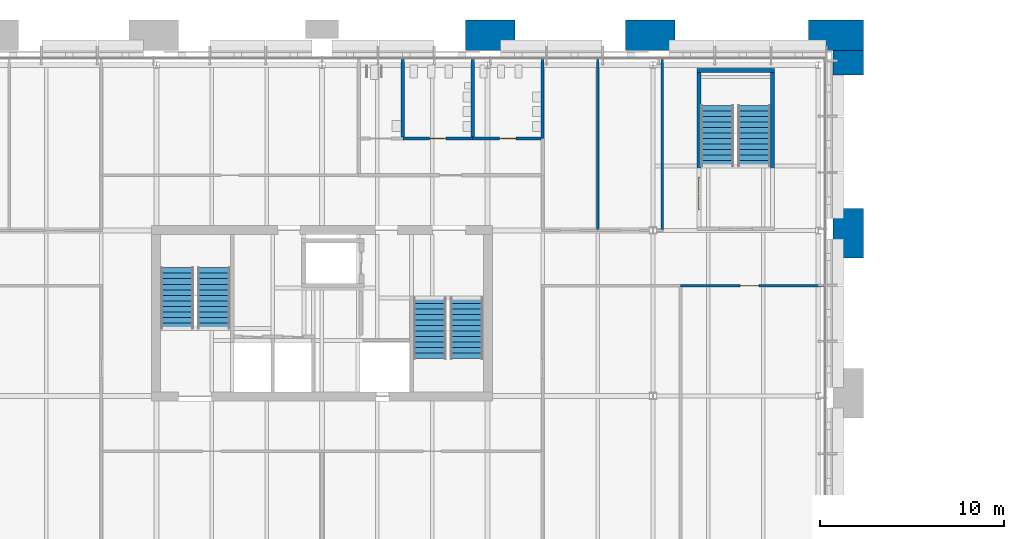
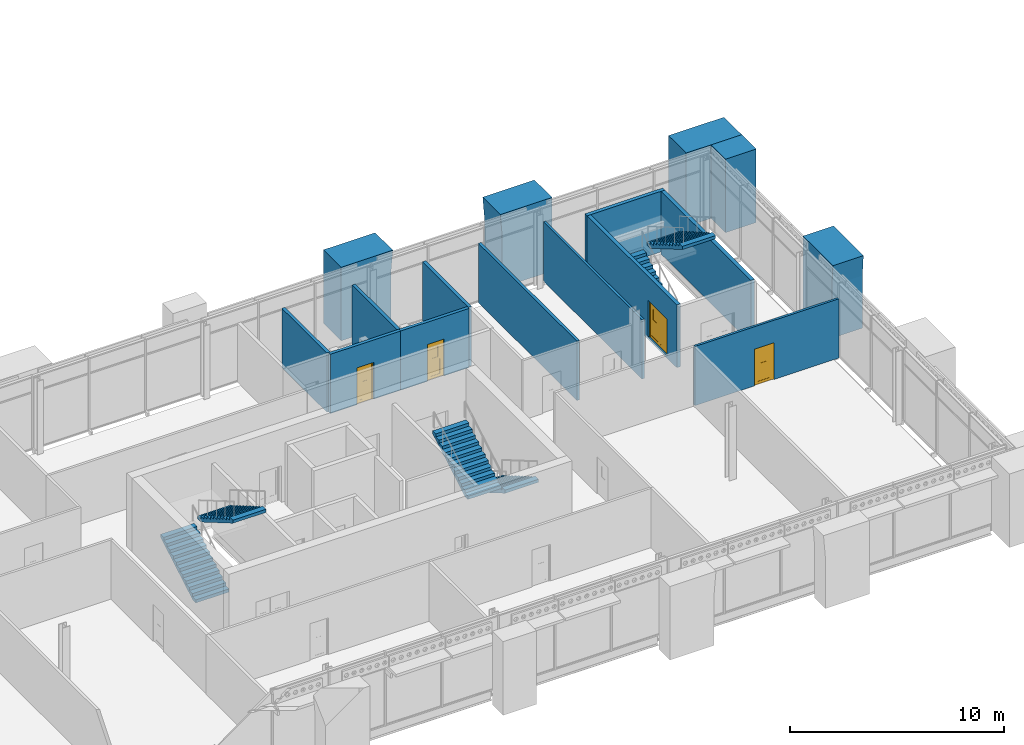
# One storey, part 23 of 37: 16 walls, 6 stair flights, 4 doors, 4 openings, 3 elements without a shape of their own.
"""IFC4 building model written with IfcOpenShell, lengths in metres."""

from ifc_helpers import new_model, si_unit, direction, frame, frame_2d, origin, place, context, subcontext, project, spatial, polyline, rectangle, outline, extrude, material, layer, layer_set, type_object, element, fill, aggregate, save


model = new_model("IFC4")

# Units and contexts
model_context = context("Model", 3, precision=1e-05, world=origin(), true_north=direction((0.0, 1.0)))
body_context = subcontext(model_context, "Body", "Model", "MODEL_VIEW")
ifc_project = project(units=[si_unit("LENGTHUNIT", "METRE"), si_unit("AREAUNIT", "SQUARE_METRE"), si_unit("VOLUMEUNIT", "CUBIC_METRE"), si_unit("PLANEANGLEUNIT", "RADIAN"), si_unit("MASSUNIT", "GRAM", prefix="KILO")], contexts=[model_context])

# Site, building, storey
site_placement = place(None, origin())
site = spatial("IfcSite", under=ifc_project, at=site_placement, CompositionType="ELEMENT")
building_placement = place(site_placement, origin())
building = spatial("IfcBuilding", under=site, at=building_placement, Name="Baradari Gate Terminus", CompositionType="ELEMENT")
storey_placement = place(building_placement, frame((0.0, 0.0, 24.300048828125)))
storey = spatial("IfcBuildingStorey", under=building, at=storey_placement, Name="L05", CompositionType="ELEMENT", Elevation=24.300048828125)

# Wall, opening, door
ifc_material_1 = material(Name="Gypsum board")
ifc_layer_1 = layer(ifc_material_1, 0.125)
ifc_layer_set_1 = layer_set([ifc_layer_1], Name="Gypsum board")
wall_type_1 = type_object("IfcWallType", Name="Corridor partition PT-5 125 EI 30", PredefinedType="PARTITIONING", material=ifc_layer_set_1)
wall_1_placement = place(storey_placement, frame((63.27001953125, 132.0, 0.0), z_axis=(0.0, 0.0, 1.0), x_axis=(-1.0, 0.0, 0.0)))
wall_1 = element("IfcWall", 1, at=wall_1_placement, inside=storey, type_object=wall_type_1, Name="PT-5 partition Corridor / Meeting Room 2", PredefinedType="PARTITIONING", context=body_context, shape_type="SweptSolid", body=[
    extrude(rectangle(XDim=7.77001953125, YDim=0.125, at=frame_2d((3.885009765625, 0.0))), origin(), (0.0, 0.0, 1.0), 3.3818359375),
])
opening_1_placement = place(wall_1_placement, frame((3.4951171875, 0.0, 0.0)))
opening_1 = element("IfcOpeningElement", 2, at=opening_1_placement, cuts=wall_1, Name="Opening D05-021", PredefinedType="OPENING", context=body_context, shape_type="SweptSolid", body=[
    extrude(rectangle(XDim=1.050048828125, YDim=2.10009765625, at=frame_2d((0.52490234375, 1.050048828125))), frame((0.0, 0.072509765625, 0.0), z_axis=(0.0, -1.0, 0.0), x_axis=(1.0, 0.0, 0.0)), (0.0, 0.0, 1.0), 0.14501953125),
])
ifc_material_2 = material(Name="Steel S275", Category="steel")
door_type_1 = type_object("IfcDoorType", Name="Fire door FI-1050-FD30S 1050x2100 FD30S", OperationType="SINGLE_SWING_LEFT", PredefinedType="DOOR", material=ifc_material_2)
door_1_placement = place(opening_1_placement, origin())
door_1 = element("IfcDoor", 3, at=door_1_placement, inside=storey, type_object=door_type_1, Name="Door Meeting Room 2", OperationType="SINGLE_SWING_RIGHT", OverallHeight=2.1, OverallWidth=1.05, PredefinedType="DOOR", context=body_context, shape_type="SweptSolid", body=[
    extrude(outline(polyline([(0.0, 0.0), (0.070068359375, 0.0), (0.070068359375, 2.030029296875), (0.97998046875, 2.030029296875), (0.97998046875, 0.0), (1.050048828125, 0.0), (1.050048828125, 2.10009765625), (0.0, 2.10009765625), (0.0, 0.0)])), frame((0.0, 0.02490234375, 0.0), z_axis=(0.0, -1.0, 0.0), x_axis=(1.0, 0.0, 0.0)), (0.0, 0.0, 1.0), 0.050048828125),
    extrude(outline(polyline([(0.073974609375, 0.010009765625), (0.97607421875, 0.010009765625), (0.97607421875, 2.026123046875), (0.073974609375, 2.026123046875), (0.073974609375, 0.010009765625)]), holes=[polyline([(0.194091796875, 0.159912109375), (0.85595703125, 0.159912109375), (0.85595703125, 1.010009765625), (0.194091796875, 1.010009765625), (0.194091796875, 0.159912109375)]), polyline([(0.375, 1.159912109375), (0.675048828125, 1.159912109375), (0.675048828125, 1.760009765625), (0.375, 1.760009765625), (0.375, 1.159912109375)])]), frame((0.0, 0.017333984375, 0.0), z_axis=(0.0, -1.0, 0.0), x_axis=(1.0, 0.0, 0.0)), (0.0, 0.0, 1.0), 0.034912109375),
    extrude(rectangle(XDim=0.661865234375, YDim=0.85009765625, at=frame_2d((0.52490234375, 0.5849609375))), frame((0.0, 0.008544921875, 0.0), z_axis=(0.0, -1.0, 0.0), x_axis=(1.0, 0.0, 0.0)), (0.0, 0.0, 1.0), 0.017333984375),
    extrude(rectangle(XDim=0.300048828125, YDim=0.60009765625, at=frame_2d((0.52490234375, 1.4599609375))), frame((0.0, 0.005859375, 0.0), z_axis=(0.0, -1.0, 0.0), x_axis=(1.0, 0.0, 0.0)), (0.0, 0.0, 1.0), 0.011962890625),
])
fill(opening_1, door_1)

# Walls
wall_2_placement = place(storey_placement, frame((54.5, 135.0625, 0.0), z_axis=(0.0, 0.0, 1.0), x_axis=(0.0, 1.0, 0.0)))
element("IfcWall", 4, at=wall_2_placement, inside=storey, type_object=wall_type_1, Name="PT-5 partition Corridor (Stair Passage) / Stationery Store", PredefinedType="PARTITIONING", context=body_context, shape_type="SweptSolid", body=[
    extrude(rectangle(XDim=9.232421875, YDim=0.125, at=frame_2d((4.6162109375, 0.0))), origin(), (0.0, 0.0, 1.0), 3.3818359375),
])
ifc_material_3 = material(Name="Blockwork wall, plastered", Category="masonry")
ifc_layer_2 = layer(ifc_material_3, 0.14990234375)
ifc_layer_set_2 = layer_set([ifc_layer_2], Name="Blockwork wall, plastered")
wall_type_2 = type_object("IfcWallType", Name="Partition PT-2 150 EI 60", PredefinedType="PARTITIONING", material=ifc_layer_set_2)
wall_3_placement = place(storey_placement, frame((51.0, 144.294921875, 0.0), z_axis=(0.0, 0.0, 1.0), x_axis=(0.0, -1.0, 0.0)))
element("IfcWall", 5, at=wall_3_placement, inside=storey, type_object=wall_type_2, Name="PT-2 partition Tea Point / Stationery Store", PredefinedType="PARTITIONING", context=body_context, shape_type="SweptSolid", body=[
    extrude(rectangle(XDim=9.232421875, YDim=0.14990234375, at=frame_2d((4.6162109375, 0.0))), origin(), (0.0, 0.0, 1.0), 3.3818359375),
])
ifc_material_4 = material(Name="Concrete C40/50 precast", Category="concrete")
ifc_layer_3 = layer(ifc_material_4, 1.55)
ifc_material_5 = material(Name="Sandstone cladding", Category="masonry")
ifc_layer_4 = layer(ifc_material_5, 0.1)
ifc_layer_set_3 = layer_set([ifc_layer_3, ifc_layer_4], Name="Concrete C40/50 precast")
wall_type_3 = type_object("IfcWallType", Name="Sandstone-faced precast frame pier WQ-4 1650", PredefinedType="SOLIDWALL", material=ifc_layer_set_3)
wall_4_placement = place(storey_placement, frame((43.800048828125, 145.6201171875, 0.0), z_axis=(0.0, 0.0, 1.0), x_axis=(1.0, 0.0, 0.0)))
element("IfcWall", 6, at=wall_4_placement, inside=storey, type_object=wall_type_3, Name="Frame portal wall N face bay 2 1", PredefinedType="SOLIDWALL", context=body_context, shape_type="SweptSolid", body=[
    extrude(outline(polyline([(2.699951171875, 0.0), (2.699951171875, 3.0), (2.795166015625, 4.199951171875), (0.0, 4.199951171875), (0.0, 0.0), (2.699951171875, 0.0)])), frame((0.0, 0.824951171875, 0.0), z_axis=(0.0, -1.0, 0.0), x_axis=(1.0, 0.0, 0.0)), (0.0, 0.0, 1.0), 1.64990234375),
])
for number, where, z_axis, x_axis, name in (
    (7, (52.40478515625, 145.6201171875, 0.0), (0.0, 0.0, 1.0), (1.0, 0.0, 0.0), "Frame portal wall N face bay 2 2"),
    (8, (64.6201171875, 133.40478515625, 0.0), (0.0, 0.0, 1.0), (0.0, 1.0, 0.0), "Frame portal wall E face bay 1 2"),
):
    element("IfcWall", number, at=place(storey_placement, frame(where, z_axis=z_axis, x_axis=x_axis)), inside=storey, type_object=wall_type_3, Name=name, PredefinedType="SOLIDWALL", context=body_context, shape_type="SweptSolid", body=[
        extrude(outline(polyline([(0.0, 4.199951171875), (0.09521484375, 3.0), (0.09521484375, 0.0), (2.795166015625, 0.0), (2.795166015625, 4.199951171875), (0.0, 4.199951171875)])), frame((0.0, 0.824951171875, 0.0), z_axis=(0.0, -1.0, 0.0), x_axis=(1.0, 0.0, 0.0)), (0.0, 0.0, 1.0), 1.64990234375),
    ])
wall_5_placement = place(storey_placement, frame((62.445068359375, 145.6201171875, 0.0), z_axis=(0.0, 0.0, 1.0), x_axis=(1.0, 0.0, 0.0)))
element("IfcWall", 9, at=wall_5_placement, inside=storey, type_object=wall_type_3, Name="Corner pilaster NE leg A L05", PredefinedType="SOLIDWALL", context=body_context, shape_type="SweptSolid", body=[
    extrude(rectangle(XDim=3.0, YDim=1.64990234375, at=frame_2d((1.5, 0.0))), origin(), (0.0, 0.0, 1.0), 4.199951171875),
])
wall_6_placement = place(storey_placement, frame((64.6201171875, 143.445068359375, 0.0), z_axis=(0.0, 0.0, 1.0), x_axis=(0.0, 1.0, 0.0)))
element("IfcWall", 10, at=wall_6_placement, inside=storey, type_object=wall_type_3, Name="Corner pilaster NE leg B L05", PredefinedType="SOLIDWALL", context=body_context, shape_type="SweptSolid", body=[
    extrude(rectangle(XDim=1.349853515625, YDim=1.64990234375, at=frame_2d((0.6748046875, 0.0))), origin(), (0.0, 0.0, 1.0), 4.199951171875),
])
ifc_material_6 = material(Name="Concrete C40/50", Category="concrete")
ifc_layer_5 = layer(ifc_material_6, 0.199951171875)
ifc_layer_set_4 = layer_set([ifc_layer_5], Name="Concrete C40/50")
wall_type_4 = type_object("IfcWallType", Name="Stair enclosure wall SE-2 200 EI 120", PredefinedType="SOLIDWALL", material=ifc_layer_set_4)
wall_7_placement = place(storey_placement, frame((56.39990234375, 143.699951171875, 0.0), z_axis=(0.0, 0.0, 1.0), x_axis=(1.0, 0.0, 0.0)))
element("IfcWall", 11, at=wall_7_placement, inside=storey, type_object=wall_type_4, Name="Stair enclosure wall SE-2 ST-T3 L05 N", PredefinedType="SOLIDWALL", context=body_context, shape_type="SweptSolid", body=[
    extrude(rectangle(XDim=4.2001953125, YDim=0.199951171875, at=frame_2d((2.10009765625, 0.0))), origin(), (0.0, 0.0, 1.0), 3.45703125),
])

# Wall, opening, door
wall_8_placement = place(storey_placement, frame((56.5, 135.199951171875, -0.130126953125), z_axis=(0.0, 0.0, 1.0), x_axis=(0.0, 1.0, 0.0)))
wall_8 = element("IfcWall", 12, at=wall_8_placement, inside=storey, type_object=wall_type_4, Name="Stair enclosure wall SE-2 ST-T3 L05 W", PredefinedType="SOLIDWALL", context=body_context, shape_type="SweptSolid", body=[
    extrude(rectangle(XDim=8.400146484375, YDim=0.199951171875, at=frame_2d((4.2001953125, 0.0))), origin(), (0.0, 0.0, 1.0), 3.587158203125),
])
opening_2_placement = place(wall_8_placement, frame((0.89990234375, 0.0, 0.1298828125)))
opening_2 = element("IfcOpeningElement", 13, at=opening_2_placement, cuts=wall_8, Name="Opening D05-009", PredefinedType="OPENING", context=body_context, shape_type="SweptSolid", body=[
    extrude(rectangle(XDim=1.800048828125, YDim=2.10009765625, at=frame_2d((0.89990234375, 1.050048828125))), frame((0.0, 0.10986328125, 0.0), z_axis=(0.0, -1.0, 0.0), x_axis=(1.0, 0.0, 0.0)), (0.0, 0.0, 1.0), 0.219970703125),
])
ifc_material_7 = material(Name="Steel S275", Category="steel")
door_type_2 = type_object("IfcDoorType", Name="Fire door FI-1800-FD90S 1800x2100 FD90S", OperationType="DOUBLE_DOOR_SINGLE_SWING", PredefinedType="DOOR", material=ifc_material_7)
door_2_placement = place(opening_2_placement, frame((1.800048828125, 0.0, 0.0), z_axis=(0.0, 0.0, 1.0), x_axis=(-1.0, 0.0, 0.0)))
door_2 = element("IfcDoor", 14, at=door_2_placement, inside=storey, type_object=door_type_2, Name="Door Stair (East Core)", OperationType="DOUBLE_DOOR_SINGLE_SWING", OverallHeight=2.1, OverallWidth=1.8, PredefinedType="DOOR", context=body_context, shape_type="SweptSolid", body=[
    extrude(outline(polyline([(0.0, 0.0), (0.070068359375, 0.0), (0.070068359375, 2.030029296875), (1.72998046875, 2.030029296875), (1.72998046875, 0.0), (1.800048828125, 0.0), (1.800048828125, 2.10009765625), (0.0, 2.10009765625), (0.0, 0.0)])), frame((0.0, 0.02490234375, 0.0), z_axis=(0.0, -1.0, 0.0), x_axis=(1.0, 0.0, 0.0)), (0.0, 0.0, 1.0), 0.050048828125),
    extrude(outline(polyline([(0.073974609375, 0.010009765625), (0.89697265625, 0.010009765625), (0.89697265625, 2.026123046875), (0.073974609375, 2.026123046875), (0.073974609375, 0.010009765625)]), holes=[polyline([(0.194091796875, 0.159912109375), (0.77685546875, 0.159912109375), (0.77685546875, 1.010009765625), (0.194091796875, 1.010009765625), (0.194091796875, 0.159912109375)]), polyline([(0.33544921875, 1.159912109375), (0.635498046875, 1.159912109375), (0.635498046875, 1.760009765625), (0.33544921875, 1.760009765625), (0.33544921875, 1.159912109375)])]), frame((0.0, 0.017333984375, 0.0), z_axis=(0.0, -1.0, 0.0), x_axis=(1.0, 0.0, 0.0)), (0.0, 0.0, 1.0), 0.034912109375),
    extrude(rectangle(XDim=0.582763671875, YDim=0.85009765625, at=frame_2d((0.4853515625, 0.5849609375))), frame((0.0, 0.008544921875, 0.0), z_axis=(0.0, -1.0, 0.0), x_axis=(1.0, 0.0, 0.0)), (0.0, 0.0, 1.0), 0.017333984375),
    extrude(rectangle(XDim=0.300048828125, YDim=0.60009765625, at=frame_2d((0.4853515625, 1.4599609375))), frame((0.0, 0.005859375, 0.0), z_axis=(0.0, -1.0, 0.0), x_axis=(1.0, 0.0, 0.0)), (0.0, 0.0, 1.0), 0.011962890625),
    extrude(outline(polyline([(0.903076171875, 0.010009765625), (1.72607421875, 0.010009765625), (1.72607421875, 2.026123046875), (0.903076171875, 2.026123046875), (0.903076171875, 0.010009765625)]), holes=[polyline([(1.023193359375, 0.159912109375), (1.60595703125, 0.159912109375), (1.60595703125, 1.010009765625), (1.023193359375, 1.010009765625), (1.023193359375, 0.159912109375)]), polyline([(1.16455078125, 1.159912109375), (1.464599609375, 1.159912109375), (1.464599609375, 1.760009765625), (1.16455078125, 1.760009765625), (1.16455078125, 1.159912109375)])]), frame((0.0, 0.017333984375, 0.0), z_axis=(0.0, -1.0, 0.0), x_axis=(1.0, 0.0, 0.0)), (0.0, 0.0, 1.0), 0.034912109375),
    extrude(rectangle(XDim=0.582763671875, YDim=0.85009765625, at=frame_2d((1.314453125, 0.5849609375))), frame((0.0, 0.008544921875, 0.0), z_axis=(0.0, -1.0, 0.0), x_axis=(1.0, 0.0, 0.0)), (0.0, 0.0, 1.0), 0.017333984375),
    extrude(rectangle(XDim=0.300048828125, YDim=0.60009765625, at=frame_2d((1.314453125, 1.4599609375))), frame((0.0, 0.005859375, 0.0), z_axis=(0.0, -1.0, 0.0), x_axis=(1.0, 0.0, 0.0)), (0.0, 0.0, 1.0), 0.011962890625),
])
fill(opening_2, door_2)

# Wall
wall_9_placement = place(storey_placement, frame((60.5, 135.199951171875, -0.130126953125), z_axis=(0.0, 0.0, 1.0), x_axis=(0.0, 1.0, 0.0)))
element("IfcWall", 15, at=wall_9_placement, inside=storey, type_object=wall_type_4, Name="Stair enclosure wall SE-2 ST-T3 L05 E", PredefinedType="SOLIDWALL", context=body_context, shape_type="SweptSolid", body=[
    extrude(rectangle(XDim=8.400146484375, YDim=0.199951171875, at=frame_2d((4.2001953125, 0.0))), origin(), (0.0, 0.0, 1.0), 3.587158203125),
])

# Wall, opening, door
ifc_material_8 = material(Name="Blockwork wall, tiled both faces", Category="masonry")
ifc_layer_6 = layer(ifc_material_8, 0.175048828125)
ifc_layer_set_5 = layer_set([ifc_layer_6], Name="Blockwork wall, tiled both faces")
wall_type_5 = type_object("IfcWallType", Name="WC wet wall PT-6 175 EI 60", PredefinedType="PARTITIONING", material=ifc_layer_set_5)
wall_10_placement = place(storey_placement, frame((40.39990234375, 140.0, 0.0), z_axis=(0.0, 0.0, 1.0), x_axis=(1.0, 0.0, 0.0)))
wall_10 = element("IfcWall", 16, at=wall_10_placement, inside=storey, type_object=wall_type_5, Name="PT-6 partition WC Lobby / Male WC", PredefinedType="PARTITIONING", context=body_context, shape_type="SweptSolid", body=[
    extrude(rectangle(XDim=3.800048828125, YDim=0.175048828125, at=frame_2d((1.89990234375, 0.0))), origin(), (0.0, 0.0, 1.0), 3.3818359375),
])
opening_3_placement = place(wall_10_placement, frame((1.449951171875, 0.0, 0.0)))
opening_3 = element("IfcOpeningElement", 17, at=opening_3_placement, cuts=wall_10, Name="Opening D05-013", PredefinedType="OPENING", context=body_context, shape_type="SweptSolid", body=[
    extrude(rectangle(XDim=0.89990234375, YDim=2.10009765625, at=frame_2d((0.449951171875, 1.050048828125))), frame((0.0, 0.097412109375, 0.0), z_axis=(0.0, -1.0, 0.0), x_axis=(1.0, 0.0, 0.0)), (0.0, 0.0, 1.0), 0.195068359375),
])
ifc_material_9 = material(Name="Steel S275", Category="steel")
door_type_3 = type_object("IfcDoorType", Name="Fire door FI-900-FD60S 900x2100 FD60S", OperationType="SINGLE_SWING_LEFT", PredefinedType="DOOR", material=ifc_material_9)
door_3_placement = place(opening_3_placement, origin())
door_3 = element("IfcDoor", 18, at=door_3_placement, inside=storey, type_object=door_type_3, Name="Door Male WC", OperationType="SINGLE_SWING_LEFT", OverallHeight=2.1, OverallWidth=0.9, PredefinedType="DOOR", context=body_context, shape_type="SweptSolid", body=[
    extrude(outline(polyline([(0.0, 0.0), (0.070068359375, 0.0), (0.070068359375, 2.030029296875), (0.829833984375, 2.030029296875), (0.829833984375, 0.0), (0.89990234375, 0.0), (0.89990234375, 2.10009765625), (0.0, 2.10009765625), (0.0, 0.0)])), frame((0.0, 0.02490234375, 0.0), z_axis=(0.0, -1.0, 0.0), x_axis=(1.0, 0.0, 0.0)), (0.0, 0.0, 1.0), 0.050048828125),
    extrude(outline(polyline([(0.073974609375, 0.010009765625), (0.825927734375, 0.010009765625), (0.825927734375, 2.026123046875), (0.073974609375, 2.026123046875), (0.073974609375, 0.010009765625)]), holes=[polyline([(0.194091796875, 0.159912109375), (0.705810546875, 0.159912109375), (0.705810546875, 1.010009765625), (0.194091796875, 1.010009765625), (0.194091796875, 0.159912109375)]), polyline([(0.300048828125, 1.159912109375), (0.599853515625, 1.159912109375), (0.599853515625, 1.760009765625), (0.300048828125, 1.760009765625), (0.300048828125, 1.159912109375)])]), frame((0.0, 0.017333984375, 0.0), z_axis=(0.0, -1.0, 0.0), x_axis=(1.0, 0.0, 0.0)), (0.0, 0.0, 1.0), 0.034912109375),
    extrude(rectangle(XDim=0.51171875, YDim=0.85009765625, at=frame_2d((0.449951171875, 0.5849609375))), frame((0.0, 0.008544921875, 0.0), z_axis=(0.0, -1.0, 0.0), x_axis=(1.0, 0.0, 0.0)), (0.0, 0.0, 1.0), 0.017333984375),
    extrude(rectangle(XDim=0.2998046875, YDim=0.60009765625, at=frame_2d((0.449951171875, 1.4599609375))), frame((0.0, 0.005859375, 0.0), z_axis=(0.0, -1.0, 0.0), x_axis=(1.0, 0.0, 0.0)), (0.0, 0.0, 1.0), 0.011962890625),
])
fill(opening_3, door_3)

wall_11_placement = place(storey_placement, frame((44.199951171875, 140.0, 0.0), z_axis=(0.0, 0.0, 1.0), x_axis=(1.0, 0.0, 0.0)))
wall_11 = element("IfcWall", 19, at=wall_11_placement, inside=storey, type_object=wall_type_5, Name="PT-6 partition WC Lobby / Female WC", PredefinedType="PARTITIONING", context=body_context, shape_type="SweptSolid", body=[
    extrude(rectangle(XDim=3.699951171875, YDim=0.175048828125, at=frame_2d((1.85009765625, 0.0))), origin(), (0.0, 0.0, 1.0), 3.3818359375),
])
opening_4_placement = place(wall_11_placement, frame((1.449951171875, 0.0, 0.0)))
opening_4 = element("IfcOpeningElement", 20, at=opening_4_placement, cuts=wall_11, Name="Opening D05-014", PredefinedType="OPENING", context=body_context, shape_type="SweptSolid", body=[
    extrude(rectangle(XDim=0.89990234375, YDim=2.10009765625, at=frame_2d((0.449951171875, 1.050048828125))), frame((0.0, 0.097412109375, 0.0), z_axis=(0.0, -1.0, 0.0), x_axis=(1.0, 0.0, 0.0)), (0.0, 0.0, 1.0), 0.195068359375),
])
door_4_placement = place(opening_4_placement, origin())
door_4 = element("IfcDoor", 21, at=door_4_placement, inside=storey, type_object=door_type_3, Name="Door Female WC", OperationType="SINGLE_SWING_LEFT", OverallHeight=2.1, OverallWidth=0.9, PredefinedType="DOOR", context=body_context, shape_type="SweptSolid", body=[
    extrude(outline(polyline([(0.0, 0.0), (0.070068359375, 0.0), (0.070068359375, 2.030029296875), (0.829833984375, 2.030029296875), (0.829833984375, 0.0), (0.89990234375, 0.0), (0.89990234375, 2.10009765625), (0.0, 2.10009765625), (0.0, 0.0)])), frame((0.0, 0.02490234375, 0.0), z_axis=(0.0, -1.0, 0.0), x_axis=(1.0, 0.0, 0.0)), (0.0, 0.0, 1.0), 0.050048828125),
    extrude(outline(polyline([(0.073974609375, 0.010009765625), (0.825927734375, 0.010009765625), (0.825927734375, 2.026123046875), (0.073974609375, 2.026123046875), (0.073974609375, 0.010009765625)]), holes=[polyline([(0.194091796875, 0.159912109375), (0.705810546875, 0.159912109375), (0.705810546875, 1.010009765625), (0.194091796875, 1.010009765625), (0.194091796875, 0.159912109375)]), polyline([(0.300048828125, 1.159912109375), (0.599853515625, 1.159912109375), (0.599853515625, 1.760009765625), (0.300048828125, 1.760009765625), (0.300048828125, 1.159912109375)])]), frame((0.0, 0.017333984375, 0.0), z_axis=(0.0, -1.0, 0.0), x_axis=(1.0, 0.0, 0.0)), (0.0, 0.0, 1.0), 0.034912109375),
    extrude(rectangle(XDim=0.51171875, YDim=0.85009765625, at=frame_2d((0.449951171875, 0.5849609375))), frame((0.0, 0.008544921875, 0.0), z_axis=(0.0, -1.0, 0.0), x_axis=(1.0, 0.0, 0.0)), (0.0, 0.0, 1.0), 0.017333984375),
    extrude(rectangle(XDim=0.2998046875, YDim=0.60009765625, at=frame_2d((0.449951171875, 1.4599609375))), frame((0.0, 0.005859375, 0.0), z_axis=(0.0, -1.0, 0.0), x_axis=(1.0, 0.0, 0.0)), (0.0, 0.0, 1.0), 0.011962890625),
])
fill(opening_4, door_4)

# Walls
for number, where, z_axis, x_axis, name in (
    (22, (40.39990234375, 144.294921875, 0.0), (0.0, 0.0, 1.0), (0.0, -1.0, 0.0), "PT-6 partition Accessible WC / Male WC"),
    (23, (44.199951171875, 144.294921875, 0.0), (0.0, 0.0, 1.0), (0.0, -1.0, 0.0), "PT-6 partition Male WC / Female WC"),
):
    element("IfcWall", number, at=place(storey_placement, frame(where, z_axis=z_axis, x_axis=x_axis)), inside=storey, type_object=wall_type_5, Name=name, PredefinedType="PARTITIONING", context=body_context, shape_type="SweptSolid", body=[
        extrude(rectangle(XDim=4.20751953125, YDim=0.175048828125, at=frame_2d((2.103759765625, 0.0))), origin(), (0.0, 0.0, 1.0), 3.3818359375),
    ])
wall_12_placement = place(storey_placement, frame((48.0, 144.294921875, 0.0), z_axis=(0.0, 0.0, 1.0), x_axis=(0.0, -1.0, 0.0)))
element("IfcWall", 24, at=wall_12_placement, inside=storey, type_object=wall_type_5, Name="PT-6 partition Female WC / Tea Point", PredefinedType="PARTITIONING", context=body_context, shape_type="SweptSolid", body=[
    extrude(rectangle(XDim=4.294921875, YDim=0.175048828125, at=frame_2d((2.1474609375, 0.0))), origin(), (0.0, 0.0, 1.0), 3.3818359375),
])

# Stair, stair flights
ifc_material_10 = material(Name="Concrete C32/40", Category="concrete")
stair_type_1 = type_object("IfcStairType", Name="Exit stair ST-T1 riser 175 x 1800", PredefinedType="HALF_TURN_STAIR", material=ifc_material_10)
stair_1_placement = place(storey_placement, origin())
stair_1 = element("IfcStair", 25, at=stair_1_placement, inside=storey, type_object=stair_type_1, Name="Stair ST-T1 L05 to L06", PredefinedType="HALF_TURN_STAIR")
ifc_material_11 = material(Name="Concrete C32/40", Category="concrete")
stair_flight_type = type_object("IfcStairFlightType", Name="Stair flight 175/300 x 1800", PredefinedType="STRAIGHT", material=ifc_material_11)
stair_flight_1_placement = place(storey_placement, frame((28.125, 129.675048828125, 0.0), z_axis=(0.0, 0.0, 1.0), x_axis=(0.0, 1.0, 0.0)))
stair_flight_1 = element("IfcStairFlight", 26, at=stair_flight_1_placement, type_object=stair_flight_type, Name="ST-T1 flight 1", NumberOfRisers=12, NumberOfTreads=11, PredefinedType="STRAIGHT", RiserHeight=0.175, TreadLength=0.3, context=body_context, shape_type="SweptSolid", body=[
    extrude(outline(polyline([(0.0, 0.0), (0.0, 0.175048828125), (0.300048828125, 0.175048828125), (0.300048828125, 0.35009765625), (0.60009765625, 0.35009765625), (0.60009765625, 0.52490234375), (0.89990234375, 0.52490234375), (0.89990234375, 0.699951171875), (1.199951171875, 0.699951171875), (1.199951171875, 0.875), (1.5, 0.875), (1.5, 1.050048828125), (1.800048828125, 1.050048828125), (1.800048828125, 1.22509765625), (2.10009765625, 1.22509765625), (2.10009765625, 1.39990234375), (2.39990234375, 1.39990234375), (2.39990234375, 1.574951171875), (2.699951171875, 1.574951171875), (2.699951171875, 1.75), (3.0, 1.75), (3.0, 1.925048828125), (3.300048828125, 1.925048828125), (3.300048828125, 2.10009765625), (3.300048828125, 1.75146484375), (0.297607421875, 0.0), (0.0, 0.0)])), frame((0.0, 0.89990234375, 0.0), z_axis=(0.0, -1.0, 0.0), x_axis=(1.0, 0.0, 0.0)), (0.0, 0.0, 1.0), 1.800048828125),
])
stair_flight_2_placement = place(storey_placement, frame((30.125, 132.97509765625, 2.099853515625), z_axis=(0.0, 0.0, 1.0), x_axis=(0.0, -1.0, 0.0)))
stair_flight_2 = element("IfcStairFlight", 27, at=stair_flight_2_placement, type_object=stair_flight_type, Name="ST-T1 flight 2", NumberOfRisers=12, NumberOfTreads=11, PredefinedType="STRAIGHT", RiserHeight=0.175, TreadLength=0.3, context=body_context, shape_type="SweptSolid", body=[
    extrude(outline(polyline([(0.0, 0.0), (0.0, 0.175048828125), (0.300048828125, 0.175048828125), (0.300048828125, 0.35009765625), (0.60009765625, 0.35009765625), (0.60009765625, 0.52490234375), (0.89990234375, 0.52490234375), (0.89990234375, 0.699951171875), (1.199951171875, 0.699951171875), (1.199951171875, 0.875), (1.5, 0.875), (1.5, 1.050048828125), (1.800048828125, 1.050048828125), (1.800048828125, 1.22509765625), (2.10009765625, 1.22509765625), (2.10009765625, 1.39990234375), (2.39990234375, 1.39990234375), (2.39990234375, 1.574951171875), (2.699951171875, 1.574951171875), (2.699951171875, 1.75), (3.0, 1.75), (3.0, 1.925048828125), (3.300048828125, 1.925048828125), (3.300048828125, 2.10009765625), (3.300048828125, 1.75146484375), (0.297607421875, 0.0), (0.0, 0.0)])), frame((0.0, 0.89990234375, 0.0), z_axis=(0.0, -1.0, 0.0), x_axis=(1.0, 0.0, 0.0)), (0.0, 0.0, 1.0), 1.800048828125),
])
aggregate(stair_1, [stair_flight_1, stair_flight_2])

ifc_material_12 = material(Name="Concrete C32/40", Category="concrete")
stair_type_2 = type_object("IfcStairType", Name="Exit stair ST-T2 riser 175 x 1800", PredefinedType="HALF_TURN_STAIR", material=ifc_material_12)
stair_2_placement = place(storey_placement, origin())
stair_2 = element("IfcStair", 28, at=stair_2_placement, inside=storey, type_object=stair_type_2, Name="Stair ST-T2 L05 to L06", PredefinedType="HALF_TURN_STAIR")
stair_flight_3_placement = place(storey_placement, frame((43.875, 131.324951171875, 0.0), z_axis=(0.0, 0.0, 1.0), x_axis=(0.0, -1.0, 0.0)))
stair_flight_3 = element("IfcStairFlight", 29, at=stair_flight_3_placement, type_object=stair_flight_type, Name="ST-T2 flight 1", NumberOfRisers=12, NumberOfTreads=11, PredefinedType="STRAIGHT", RiserHeight=0.175, TreadLength=0.3, context=body_context, shape_type="SweptSolid", body=[
    extrude(outline(polyline([(0.0, 0.0), (0.0, 0.175048828125), (0.300048828125, 0.175048828125), (0.300048828125, 0.35009765625), (0.60009765625, 0.35009765625), (0.60009765625, 0.52490234375), (0.89990234375, 0.52490234375), (0.89990234375, 0.699951171875), (1.199951171875, 0.699951171875), (1.199951171875, 0.875), (1.5, 0.875), (1.5, 1.050048828125), (1.800048828125, 1.050048828125), (1.800048828125, 1.22509765625), (2.10009765625, 1.22509765625), (2.10009765625, 1.39990234375), (2.39990234375, 1.39990234375), (2.39990234375, 1.574951171875), (2.699951171875, 1.574951171875), (2.699951171875, 1.75), (3.0, 1.75), (3.0, 1.925048828125), (3.300048828125, 1.925048828125), (3.300048828125, 2.10009765625), (3.300048828125, 1.75146484375), (0.297607421875, 0.0), (0.0, 0.0)])), frame((0.0, 0.89990234375, 0.0), z_axis=(0.0, -1.0, 0.0), x_axis=(1.0, 0.0, 0.0)), (0.0, 0.0, 1.0), 1.800048828125),
])
stair_flight_4_placement = place(storey_placement, frame((41.875, 128.02490234375, 2.099853515625), z_axis=(0.0, 0.0, 1.0), x_axis=(0.0, 1.0, 0.0)))
stair_flight_4 = element("IfcStairFlight", 30, at=stair_flight_4_placement, type_object=stair_flight_type, Name="ST-T2 flight 2", NumberOfRisers=12, NumberOfTreads=11, PredefinedType="STRAIGHT", RiserHeight=0.175, TreadLength=0.3, context=body_context, shape_type="SweptSolid", body=[
    extrude(outline(polyline([(0.0, 0.0), (0.0, 0.175048828125), (0.300048828125, 0.175048828125), (0.300048828125, 0.35009765625), (0.60009765625, 0.35009765625), (0.60009765625, 0.52490234375), (0.89990234375, 0.52490234375), (0.89990234375, 0.699951171875), (1.199951171875, 0.699951171875), (1.199951171875, 0.875), (1.5, 0.875), (1.5, 1.050048828125), (1.800048828125, 1.050048828125), (1.800048828125, 1.22509765625), (2.10009765625, 1.22509765625), (2.10009765625, 1.39990234375), (2.39990234375, 1.39990234375), (2.39990234375, 1.574951171875), (2.699951171875, 1.574951171875), (2.699951171875, 1.75), (3.0, 1.75), (3.0, 1.925048828125), (3.300048828125, 1.925048828125), (3.300048828125, 2.10009765625), (3.300048828125, 1.75146484375), (0.297607421875, 0.0), (0.0, 0.0)])), frame((0.0, 0.89990234375, 0.0), z_axis=(0.0, -1.0, 0.0), x_axis=(1.0, 0.0, 0.0)), (0.0, 0.0, 1.0), 1.800048828125),
])
aggregate(stair_2, [stair_flight_3, stair_flight_4])

ifc_material_13 = material(Name="Concrete C32/40", Category="concrete")
stair_type_3 = type_object("IfcStairType", Name="Exit stair ST-T3 riser 175 x 1800", PredefinedType="HALF_TURN_STAIR", material=ifc_material_13)
stair_3_placement = place(storey_placement, origin())
stair_3 = element("IfcStair", 31, at=stair_3_placement, inside=storey, type_object=stair_type_3, Name="Stair ST-T3 L05 to L06", PredefinedType="HALF_TURN_STAIR")
stair_flight_5_placement = place(storey_placement, frame((57.5, 138.5, 0.0), z_axis=(0.0, 0.0, 1.0), x_axis=(0.0, 1.0, 0.0)))
stair_flight_5 = element("IfcStairFlight", 32, at=stair_flight_5_placement, type_object=stair_flight_type, Name="ST-T3 flight 1", NumberOfRisers=12, NumberOfTreads=11, PredefinedType="STRAIGHT", RiserHeight=0.175, TreadLength=0.3, context=body_context, shape_type="SweptSolid", body=[
    extrude(outline(polyline([(0.0, 0.0), (0.0, 0.175048828125), (0.300048828125, 0.175048828125), (0.300048828125, 0.35009765625), (0.60009765625, 0.35009765625), (0.60009765625, 0.52490234375), (0.89990234375, 0.52490234375), (0.89990234375, 0.699951171875), (1.199951171875, 0.699951171875), (1.199951171875, 0.875), (1.5, 0.875), (1.5, 1.050048828125), (1.800048828125, 1.050048828125), (1.800048828125, 1.22509765625), (2.10009765625, 1.22509765625), (2.10009765625, 1.39990234375), (2.39990234375, 1.39990234375), (2.39990234375, 1.574951171875), (2.699951171875, 1.574951171875), (2.699951171875, 1.75), (3.0, 1.75), (3.0, 1.925048828125), (3.300048828125, 1.925048828125), (3.300048828125, 2.10009765625), (3.300048828125, 1.75146484375), (0.297607421875, 0.0), (0.0, 0.0)])), frame((0.0, 0.89990234375, 0.0), z_axis=(0.0, -1.0, 0.0), x_axis=(1.0, 0.0, 0.0)), (0.0, 0.0, 1.0), 1.800048828125),
])
stair_flight_6_placement = place(storey_placement, frame((59.5, 141.800048828125, 2.099853515625), z_axis=(0.0, 0.0, 1.0), x_axis=(0.0, -1.0, 0.0)))
stair_flight_6 = element("IfcStairFlight", 33, at=stair_flight_6_placement, type_object=stair_flight_type, Name="ST-T3 flight 2", NumberOfRisers=12, NumberOfTreads=11, PredefinedType="STRAIGHT", RiserHeight=0.175, TreadLength=0.3, context=body_context, shape_type="SweptSolid", body=[
    extrude(outline(polyline([(0.0, 0.0), (0.0, 0.175048828125), (0.300048828125, 0.175048828125), (0.300048828125, 0.35009765625), (0.60009765625, 0.35009765625), (0.60009765625, 0.52490234375), (0.89990234375, 0.52490234375), (0.89990234375, 0.699951171875), (1.199951171875, 0.699951171875), (1.199951171875, 0.875), (1.5, 0.875), (1.5, 1.050048828125), (1.800048828125, 1.050048828125), (1.800048828125, 1.22509765625), (2.10009765625, 1.22509765625), (2.10009765625, 1.39990234375), (2.39990234375, 1.39990234375), (2.39990234375, 1.574951171875), (2.699951171875, 1.574951171875), (2.699951171875, 1.75), (3.0, 1.75), (3.0, 1.925048828125), (3.300048828125, 1.925048828125), (3.300048828125, 2.10009765625), (3.300048828125, 1.75146484375), (0.297607421875, 0.0), (0.0, 0.0)])), frame((0.0, 0.89990234375, 0.0), z_axis=(0.0, -1.0, 0.0), x_axis=(1.0, 0.0, 0.0)), (0.0, 0.0, 1.0), 1.800048828125),
])
aggregate(stair_3, [stair_flight_5, stair_flight_6])

save(model, "model.ifc")
